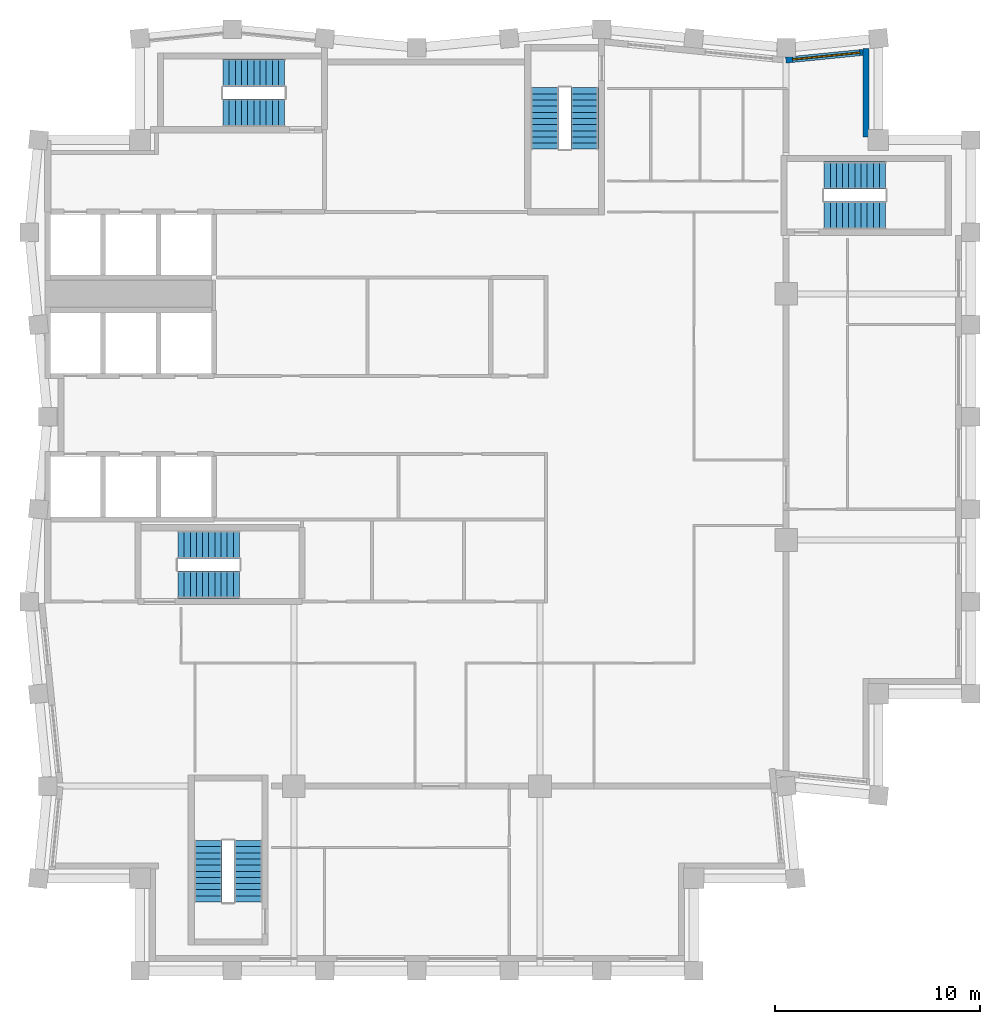
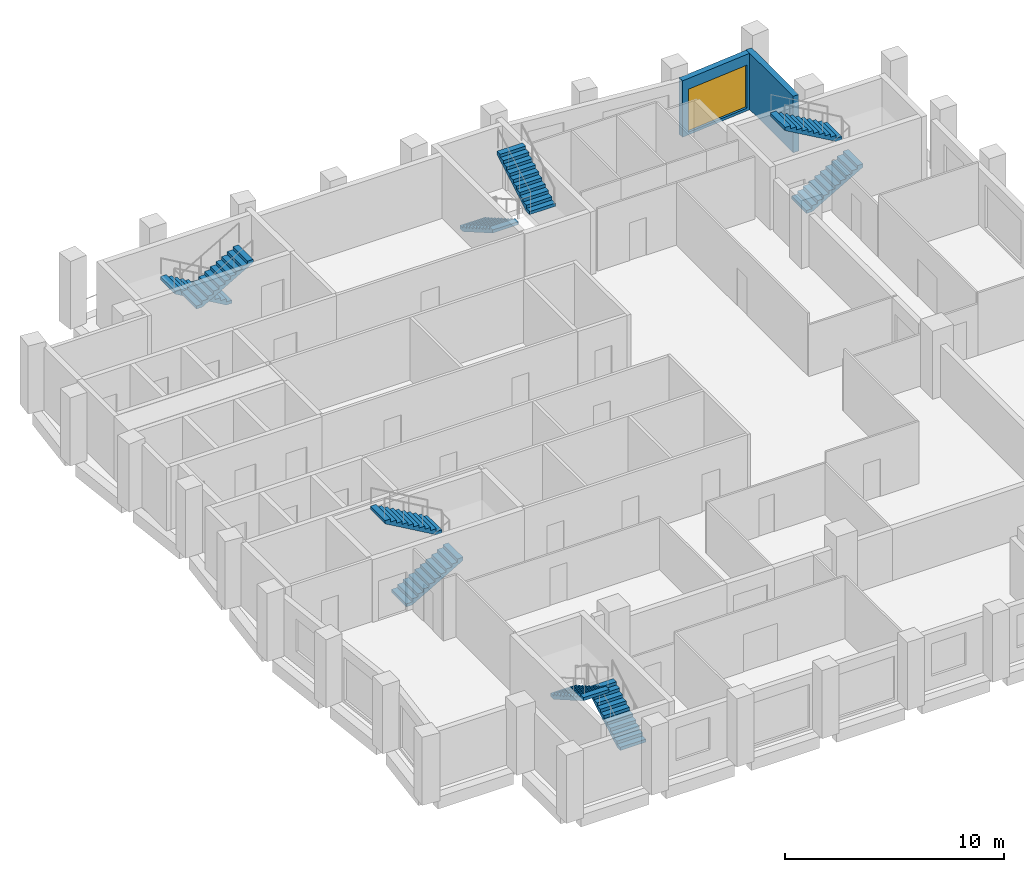
# One storey, part 6 of 7: 10 stair flights, 2 walls, 1 window, 1 opening, 5 elements without a shape of their own.
"""IFC4 building model written with IfcOpenShell, lengths in metres."""

from ifc_helpers import new_model, si_unit, direction, frame, frame_2d, origin, place, context, subcontext, project, spatial, polyline, rectangle, outline, extrude, material, layer, layer_set, type_object, element, fill, aggregate, save


model = new_model("IFC4")

# Units and contexts
model_context = context("Model", 3, precision=1e-05, world=origin(), true_north=direction((0.0, 1.0)))
body_context = subcontext(model_context, "Body", "Model", "MODEL_VIEW")
ifc_project = project(units=[si_unit("LENGTHUNIT", "METRE"), si_unit("AREAUNIT", "SQUARE_METRE"), si_unit("VOLUMEUNIT", "CUBIC_METRE"), si_unit("PLANEANGLEUNIT", "RADIAN"), si_unit("MASSUNIT", "GRAM", prefix="KILO")], contexts=[model_context])

# Site, building, storey
site_placement = place(None, origin())
site = spatial("IfcSite", under=ifc_project, at=site_placement, CompositionType="ELEMENT")
building_placement = place(site_placement, origin())
building = spatial("IfcBuilding", under=site, at=building_placement, Name="Brondeck Convention Tower", CompositionType="ELEMENT")
storey_placement = place(building_placement, frame((0.0, 0.0, 263.800048828125)))
storey = spatial("IfcBuildingStorey", under=building, at=storey_placement, Name="L65", CompositionType="ELEMENT", Elevation=263.800048828125)

# Wall
ifc_material_1 = material(Name="Precast concrete C50/60 bronze finish", Category="concrete")
ifc_layer_1 = layer(ifc_material_1, 0.070068359375, Name="Bronze precast facing")
ifc_material_2 = material(Name="Mineral wool")
ifc_layer_2 = layer(ifc_material_2, 0.159912109375, Name="Insulation")
ifc_material_3 = material(Name="Concrete C35/45", Category="concrete")
ifc_layer_3 = layer(ifc_material_3, 0.070068359375, Name="Backing")
ifc_layer_set = layer_set([ifc_layer_1, ifc_layer_2, ifc_layer_3], Name="External infill wall, precast concrete C50/60 bronze facing")
wall_type = type_object("IfcWallType", Name="External infill wall, precast concrete C50/60 bronze facing", PredefinedType="SOLIDWALL", material=ifc_layer_set)
wall_1_placement = place(storey_placement, frame((39.89990234375, 62.952880859375, 0.0), z_axis=(0.0, 0.0, 1.0), x_axis=(0.0, -1.0, 0.0)))
element("IfcWall", 1, at=wall_1_placement, inside=storey, type_object=wall_type, Name="ENV-EW-L65-P3-NC-NEA45-02", PredefinedType="SOLIDWALL", context=body_context, shape_type="SweptSolid", body=[
    extrude(rectangle(XDim=4.302978515625, YDim=0.300048828125, at=frame_2d((2.1513671875, 0.0))), origin(), (0.0, 0.0, 1.0), 3.14990234375),
])

# Wall, opening, window
wall_2_placement = place(storey_placement, frame((35.985107421875, 62.3955078125, 0.0), z_axis=(0.0, 0.0, 1.0), x_axis=(0.99503719021, 0.099503719021, 0.0)))
wall_2 = element("IfcWall", 2, at=wall_2_placement, inside=storey, type_object=wall_type, Name="ENV-EW-L65-P3-A-N-08", PredefinedType="SOLIDWALL", context=body_context, shape_type="SweptSolid", body=[
    extrude(rectangle(XDim=3.778564453125, YDim=0.300048828125, at=frame_2d((1.88916015625, 0.0))), origin(), (0.0, 0.0, 1.0), 3.14990234375),
])
opening_placement = place(wall_2_placement, frame((0.32861328125, 0.0, 0.14990234375)))
opening = element("IfcOpeningElement", 3, at=opening_placement, cuts=wall_2, Name="Opening W9", PredefinedType="OPENING", context=body_context, shape_type="SweptSolid", body=[
    extrude(rectangle(XDim=3.300048828125, YDim=2.39990234375, at=frame_2d((1.64990234375, 1.199951171875))), frame((0.0, 0.159912109375, 0.0), z_axis=(0.0, -1.0, 0.0), x_axis=(1.0, 0.0, 0.0)), (0.0, 0.0, 1.0), 0.320068359375),
])
ifc_material_4 = material(Name="Bronze tinted double glazing", Category="glass")
window_type = type_object("IfcWindowType", Name="Glazed flute window, bronze tinted", PartitioningType="SINGLE_PANEL", PredefinedType="WINDOW", material=ifc_material_4)
window_placement = place(opening_placement, origin())
window = element("IfcWindow", 4, at=window_placement, inside=storey, type_object=window_type, Name="ENV-WN-L65-P3-A-N-08", OverallHeight=2.39990234375, OverallWidth=3.300048828125, PartitioningType="SINGLE_PANEL", PredefinedType="WINDOW", context=body_context, shape_type="SweptSolid", body=[
    extrude(rectangle(XDim=3.300048828125, YDim=2.39990234375, at=frame_2d((1.64990234375, 1.199951171875))), frame((0.0, 0.030029296875, 0.0), z_axis=(0.0, -1.0, 0.0), x_axis=(1.0, 0.0, 0.0)), (0.0, 0.0, 1.0), 0.06005859375),
])
fill(opening, window)

# Stair, stair flights
ifc_material_5 = material(Name="Precast concrete C50/60", Category="concrete")
stair_type = type_object("IfcStairType", Name="Core stair 22 risers 172.73 mm riser 300 mm going 1350 wide", PredefinedType="HALF_TURN_STAIR", material=ifc_material_5)
stair_1_placement = place(storey_placement, origin())
stair_1 = element("IfcStair", 5, at=stair_1_placement, inside=storey, type_object=stair_type, Name="ST-1 L65 stair", PredefinedType="HALF_TURN_STAIR")
stair_flight_type = type_object("IfcStairFlightType", Name="Core stair flight 22 risers 172.73 mm riser 300 mm going 1350 wide", PredefinedType="STRAIGHT", material=ifc_material_5)
stair_flight_1_placement = place(storey_placement, frame((6.35009765625, 36.824951171875, 0.0), z_axis=(0.0, 0.0, 1.0), x_axis=(1.0, 0.0, 0.0)))
stair_flight_1 = element("IfcStairFlight", 6, at=stair_flight_1_placement, type_object=stair_flight_type, Name="ST-1 flight 1", NumberOfRisers=11, NumberOfTreads=10, PredefinedType="STRAIGHT", RiserHeight=0.172727273, TreadLength=0.3, context=body_context, shape_type="SweptSolid", body=[
    extrude(outline(polyline([(0.0, 0.0), (0.0, 0.172607421875), (0.300048828125, 0.172607421875), (0.300048828125, 0.345458984375), (0.60009765625, 0.345458984375), (0.60009765625, 0.51806640625), (0.89990234375, 0.51806640625), (0.89990234375, 0.69091796875), (1.199951171875, 0.69091796875), (1.199951171875, 0.863525390625), (1.5, 0.863525390625), (1.5, 1.036376953125), (1.800048828125, 1.036376953125), (1.800048828125, 1.208984375), (2.10009765625, 1.208984375), (2.10009765625, 1.3818359375), (2.39990234375, 1.3818359375), (2.39990234375, 1.554443359375), (2.699951171875, 1.554443359375), (2.699951171875, 1.727294921875), (3.0, 1.727294921875), (3.0, 1.89990234375), (3.0, 1.55419921875), (0.300537109375, 0.0), (0.0, 0.0)])), frame((0.0, 0.675048828125, 0.0), z_axis=(0.0, -1.0, 0.0), x_axis=(1.0, 0.0, 0.0)), (0.0, 0.0, 1.0), 1.35009765625),
])
stair_flight_2_placement = place(storey_placement, frame((9.35009765625, 38.77490234375, 1.89990234375), z_axis=(0.0, 0.0, 1.0), x_axis=(-1.0, 0.0, 0.0)))
stair_flight_2 = element("IfcStairFlight", 7, at=stair_flight_2_placement, type_object=stair_flight_type, Name="ST-1 flight 2", NumberOfRisers=11, NumberOfTreads=10, PredefinedType="STRAIGHT", RiserHeight=0.172727273, TreadLength=0.3, context=body_context, shape_type="SweptSolid", body=[
    extrude(outline(polyline([(0.0, 0.0), (0.0, 0.172607421875), (0.300048828125, 0.172607421875), (0.300048828125, 0.345458984375), (0.60009765625, 0.345458984375), (0.60009765625, 0.51806640625), (0.89990234375, 0.51806640625), (0.89990234375, 0.69091796875), (1.199951171875, 0.69091796875), (1.199951171875, 0.863525390625), (1.5, 0.863525390625), (1.5, 1.036376953125), (1.800048828125, 1.036376953125), (1.800048828125, 1.208984375), (2.10009765625, 1.208984375), (2.10009765625, 1.3818359375), (2.39990234375, 1.3818359375), (2.39990234375, 1.554443359375), (2.699951171875, 1.554443359375), (2.699951171875, 1.727294921875), (3.0, 1.727294921875), (3.0, 1.89990234375), (3.0, 1.55419921875), (0.300537109375, 0.0), (0.0, 0.0)])), frame((0.0, 0.675048828125, 0.0), z_axis=(0.0, -1.0, 0.0), x_axis=(1.0, 0.0, 0.0)), (0.0, 0.0, 1.0), 1.35009765625),
])
aggregate(stair_1, [stair_flight_1, stair_flight_2])

stair_2_placement = place(storey_placement, origin())
stair_2 = element("IfcStair", 8, at=stair_2_placement, inside=storey, type_object=stair_type, Name="ST-2 L65 stair", PredefinedType="HALF_TURN_STAIR")
stair_flight_3_placement = place(storey_placement, frame((24.22509765625, 61.050048828125, 0.0), z_axis=(0.0, 0.0, 1.0), x_axis=(0.0, -1.0, 0.0)))
stair_flight_3 = element("IfcStairFlight", 9, at=stair_flight_3_placement, type_object=stair_flight_type, Name="ST-2 flight 1", NumberOfRisers=11, NumberOfTreads=10, PredefinedType="STRAIGHT", RiserHeight=0.172727273, TreadLength=0.3, context=body_context, shape_type="SweptSolid", body=[
    extrude(outline(polyline([(0.0, 0.0), (0.0, 0.172607421875), (0.300048828125, 0.172607421875), (0.300048828125, 0.345458984375), (0.60009765625, 0.345458984375), (0.60009765625, 0.51806640625), (0.89990234375, 0.51806640625), (0.89990234375, 0.69091796875), (1.199951171875, 0.69091796875), (1.199951171875, 0.863525390625), (1.5, 0.863525390625), (1.5, 1.036376953125), (1.800048828125, 1.036376953125), (1.800048828125, 1.208984375), (2.10009765625, 1.208984375), (2.10009765625, 1.3818359375), (2.39990234375, 1.3818359375), (2.39990234375, 1.554443359375), (2.699951171875, 1.554443359375), (2.699951171875, 1.727294921875), (3.0, 1.727294921875), (3.0, 1.89990234375), (3.0, 1.55419921875), (0.300537109375, 0.0), (0.0, 0.0)])), frame((0.0, 0.675048828125, 0.0), z_axis=(0.0, -1.0, 0.0), x_axis=(1.0, 0.0, 0.0)), (0.0, 0.0, 1.0), 1.35009765625),
])
stair_flight_4_placement = place(storey_placement, frame((26.175048828125, 58.050048828125, 1.89990234375), z_axis=(0.0, 0.0, 1.0), x_axis=(0.0, 1.0, 0.0)))
stair_flight_4 = element("IfcStairFlight", 10, at=stair_flight_4_placement, type_object=stair_flight_type, Name="ST-2 flight 2", NumberOfRisers=11, NumberOfTreads=10, PredefinedType="STRAIGHT", RiserHeight=0.172727273, TreadLength=0.3, context=body_context, shape_type="SweptSolid", body=[
    extrude(outline(polyline([(0.0, 0.0), (0.0, 0.172607421875), (0.300048828125, 0.172607421875), (0.300048828125, 0.345458984375), (0.60009765625, 0.345458984375), (0.60009765625, 0.51806640625), (0.89990234375, 0.51806640625), (0.89990234375, 0.69091796875), (1.199951171875, 0.69091796875), (1.199951171875, 0.863525390625), (1.5, 0.863525390625), (1.5, 1.036376953125), (1.800048828125, 1.036376953125), (1.800048828125, 1.208984375), (2.10009765625, 1.208984375), (2.10009765625, 1.3818359375), (2.39990234375, 1.3818359375), (2.39990234375, 1.554443359375), (2.699951171875, 1.554443359375), (2.699951171875, 1.727294921875), (3.0, 1.727294921875), (3.0, 1.89990234375), (3.0, 1.55419921875), (0.300537109375, 0.0), (0.0, 0.0)])), frame((0.0, 0.675048828125, 0.0), z_axis=(0.0, -1.0, 0.0), x_axis=(1.0, 0.0, 0.0)), (0.0, 0.0, 1.0), 1.35009765625),
])
aggregate(stair_2, [stair_flight_3, stair_flight_4])

stair_3_placement = place(storey_placement, origin())
stair_3 = element("IfcStair", 11, at=stair_3_placement, inside=storey, type_object=stair_type, Name="ST-3 L65 stair", PredefinedType="HALF_TURN_STAIR")
stair_flight_5_placement = place(storey_placement, frame((11.550048828125, 61.77490234375, 0.0), z_axis=(0.0, 0.0, 1.0), x_axis=(-1.0, 0.0, 0.0)))
stair_flight_5 = element("IfcStairFlight", 12, at=stair_flight_5_placement, type_object=stair_flight_type, Name="ST-3 flight 1", NumberOfRisers=11, NumberOfTreads=10, PredefinedType="STRAIGHT", RiserHeight=0.172727273, TreadLength=0.3, context=body_context, shape_type="SweptSolid", body=[
    extrude(outline(polyline([(0.0, 0.0), (0.0, 0.172607421875), (0.300048828125, 0.172607421875), (0.300048828125, 0.345458984375), (0.60009765625, 0.345458984375), (0.60009765625, 0.51806640625), (0.89990234375, 0.51806640625), (0.89990234375, 0.69091796875), (1.199951171875, 0.69091796875), (1.199951171875, 0.863525390625), (1.5, 0.863525390625), (1.5, 1.036376953125), (1.800048828125, 1.036376953125), (1.800048828125, 1.208984375), (2.10009765625, 1.208984375), (2.10009765625, 1.3818359375), (2.39990234375, 1.3818359375), (2.39990234375, 1.554443359375), (2.699951171875, 1.554443359375), (2.699951171875, 1.727294921875), (3.0, 1.727294921875), (3.0, 1.89990234375), (3.0, 1.55419921875), (0.300537109375, 0.0), (0.0, 0.0)])), frame((0.0, 0.675048828125, 0.0), z_axis=(0.0, -1.0, 0.0), x_axis=(1.0, 0.0, 0.0)), (0.0, 0.0, 1.0), 1.35009765625),
])
stair_flight_6_placement = place(storey_placement, frame((8.550048828125, 59.824951171875, 1.89990234375), z_axis=(0.0, 0.0, 1.0), x_axis=(1.0, 0.0, 0.0)))
stair_flight_6 = element("IfcStairFlight", 13, at=stair_flight_6_placement, type_object=stair_flight_type, Name="ST-3 flight 2", NumberOfRisers=11, NumberOfTreads=10, PredefinedType="STRAIGHT", RiserHeight=0.172727273, TreadLength=0.3, context=body_context, shape_type="SweptSolid", body=[
    extrude(outline(polyline([(0.0, 0.0), (0.0, 0.172607421875), (0.300048828125, 0.172607421875), (0.300048828125, 0.345458984375), (0.60009765625, 0.345458984375), (0.60009765625, 0.51806640625), (0.89990234375, 0.51806640625), (0.89990234375, 0.69091796875), (1.199951171875, 0.69091796875), (1.199951171875, 0.863525390625), (1.5, 0.863525390625), (1.5, 1.036376953125), (1.800048828125, 1.036376953125), (1.800048828125, 1.208984375), (2.10009765625, 1.208984375), (2.10009765625, 1.3818359375), (2.39990234375, 1.3818359375), (2.39990234375, 1.554443359375), (2.699951171875, 1.554443359375), (2.699951171875, 1.727294921875), (3.0, 1.727294921875), (3.0, 1.89990234375), (3.0, 1.55419921875), (0.300537109375, 0.0), (0.0, 0.0)])), frame((0.0, 0.675048828125, 0.0), z_axis=(0.0, -1.0, 0.0), x_axis=(1.0, 0.0, 0.0)), (0.0, 0.0, 1.0), 1.35009765625),
])
aggregate(stair_3, [stair_flight_5, stair_flight_6])

stair_4_placement = place(storey_placement, origin())
stair_4 = element("IfcStair", 14, at=stair_4_placement, inside=storey, type_object=stair_type, Name="ST-AE L65 stair", PredefinedType="HALF_TURN_STAIR")
stair_flight_7_placement = place(storey_placement, frame((37.85009765625, 54.824951171875, 0.0), z_axis=(0.0, 0.0, 1.0), x_axis=(1.0, 0.0, 0.0)))
stair_flight_7 = element("IfcStairFlight", 15, at=stair_flight_7_placement, type_object=stair_flight_type, Name="ST-AE flight 1", NumberOfRisers=11, NumberOfTreads=10, PredefinedType="STRAIGHT", RiserHeight=0.172727273, TreadLength=0.3, context=body_context, shape_type="SweptSolid", body=[
    extrude(outline(polyline([(0.0, 0.0), (0.0, 0.172607421875), (0.300048828125, 0.172607421875), (0.300048828125, 0.345458984375), (0.60009765625, 0.345458984375), (0.60009765625, 0.51806640625), (0.89990234375, 0.51806640625), (0.89990234375, 0.69091796875), (1.199951171875, 0.69091796875), (1.199951171875, 0.863525390625), (1.5, 0.863525390625), (1.5, 1.036376953125), (1.800048828125, 1.036376953125), (1.800048828125, 1.208984375), (2.10009765625, 1.208984375), (2.10009765625, 1.3818359375), (2.39990234375, 1.3818359375), (2.39990234375, 1.554443359375), (2.699951171875, 1.554443359375), (2.699951171875, 1.727294921875), (3.0, 1.727294921875), (3.0, 1.89990234375), (3.0, 1.55419921875), (0.300537109375, 0.0), (0.0, 0.0)])), frame((0.0, 0.675048828125, 0.0), z_axis=(0.0, -1.0, 0.0), x_axis=(1.0, 0.0, 0.0)), (0.0, 0.0, 1.0), 1.35009765625),
])
stair_flight_8_placement = place(storey_placement, frame((40.85009765625, 56.77490234375, 1.89990234375), z_axis=(0.0, 0.0, 1.0), x_axis=(-1.0, 0.0, 0.0)))
stair_flight_8 = element("IfcStairFlight", 16, at=stair_flight_8_placement, type_object=stair_flight_type, Name="ST-AE flight 2", NumberOfRisers=11, NumberOfTreads=10, PredefinedType="STRAIGHT", RiserHeight=0.172727273, TreadLength=0.3, context=body_context, shape_type="SweptSolid", body=[
    extrude(outline(polyline([(0.0, 0.0), (0.0, 0.172607421875), (0.300048828125, 0.172607421875), (0.300048828125, 0.345458984375), (0.60009765625, 0.345458984375), (0.60009765625, 0.51806640625), (0.89990234375, 0.51806640625), (0.89990234375, 0.69091796875), (1.199951171875, 0.69091796875), (1.199951171875, 0.863525390625), (1.5, 0.863525390625), (1.5, 1.036376953125), (1.800048828125, 1.036376953125), (1.800048828125, 1.208984375), (2.10009765625, 1.208984375), (2.10009765625, 1.3818359375), (2.39990234375, 1.3818359375), (2.39990234375, 1.554443359375), (2.699951171875, 1.554443359375), (2.699951171875, 1.727294921875), (3.0, 1.727294921875), (3.0, 1.89990234375), (3.0, 1.55419921875), (0.300537109375, 0.0), (0.0, 0.0)])), frame((0.0, 0.675048828125, 0.0), z_axis=(0.0, -1.0, 0.0), x_axis=(1.0, 0.0, 0.0)), (0.0, 0.0, 1.0), 1.35009765625),
])
aggregate(stair_4, [stair_flight_7, stair_flight_8])

stair_5_placement = place(storey_placement, origin())
stair_5 = element("IfcStair", 17, at=stair_5_placement, inside=storey, type_object=stair_type, Name="ST-BE L65 stair", PredefinedType="HALF_TURN_STAIR")
stair_flight_9_placement = place(storey_placement, frame((9.77490234375, 21.35009765625, 0.0), z_axis=(0.0, 0.0, 1.0), x_axis=(0.0, 1.0, 0.0)))
stair_flight_9 = element("IfcStairFlight", 18, at=stair_flight_9_placement, type_object=stair_flight_type, Name="ST-BE flight 1", NumberOfRisers=11, NumberOfTreads=10, PredefinedType="STRAIGHT", RiserHeight=0.172727273, TreadLength=0.3, context=body_context, shape_type="SweptSolid", body=[
    extrude(outline(polyline([(0.0, 0.0), (0.0, 0.172607421875), (0.300048828125, 0.172607421875), (0.300048828125, 0.345458984375), (0.60009765625, 0.345458984375), (0.60009765625, 0.51806640625), (0.89990234375, 0.51806640625), (0.89990234375, 0.69091796875), (1.199951171875, 0.69091796875), (1.199951171875, 0.863525390625), (1.5, 0.863525390625), (1.5, 1.036376953125), (1.800048828125, 1.036376953125), (1.800048828125, 1.208984375), (2.10009765625, 1.208984375), (2.10009765625, 1.3818359375), (2.39990234375, 1.3818359375), (2.39990234375, 1.554443359375), (2.699951171875, 1.554443359375), (2.699951171875, 1.727294921875), (3.0, 1.727294921875), (3.0, 1.89990234375), (3.0, 1.55419921875), (0.300537109375, 0.0), (0.0, 0.0)])), frame((0.0, 0.675048828125, 0.0), z_axis=(0.0, -1.0, 0.0), x_axis=(1.0, 0.0, 0.0)), (0.0, 0.0, 1.0), 1.35009765625),
])
stair_flight_10_placement = place(storey_placement, frame((7.824951171875, 24.35009765625, 1.89990234375), z_axis=(0.0, 0.0, 1.0), x_axis=(0.0, -1.0, 0.0)))
stair_flight_10 = element("IfcStairFlight", 19, at=stair_flight_10_placement, type_object=stair_flight_type, Name="ST-BE flight 2", NumberOfRisers=11, NumberOfTreads=10, PredefinedType="STRAIGHT", RiserHeight=0.172727273, TreadLength=0.3, context=body_context, shape_type="SweptSolid", body=[
    extrude(outline(polyline([(0.0, 0.0), (0.0, 0.172607421875), (0.300048828125, 0.172607421875), (0.300048828125, 0.345458984375), (0.60009765625, 0.345458984375), (0.60009765625, 0.51806640625), (0.89990234375, 0.51806640625), (0.89990234375, 0.69091796875), (1.199951171875, 0.69091796875), (1.199951171875, 0.863525390625), (1.5, 0.863525390625), (1.5, 1.036376953125), (1.800048828125, 1.036376953125), (1.800048828125, 1.208984375), (2.10009765625, 1.208984375), (2.10009765625, 1.3818359375), (2.39990234375, 1.3818359375), (2.39990234375, 1.554443359375), (2.699951171875, 1.554443359375), (2.699951171875, 1.727294921875), (3.0, 1.727294921875), (3.0, 1.89990234375), (3.0, 1.55419921875), (0.300537109375, 0.0), (0.0, 0.0)])), frame((0.0, 0.675048828125, 0.0), z_axis=(0.0, -1.0, 0.0), x_axis=(1.0, 0.0, 0.0)), (0.0, 0.0, 1.0), 1.35009765625),
])
aggregate(stair_5, [stair_flight_9, stair_flight_10])

save(model, "model.ifc")
